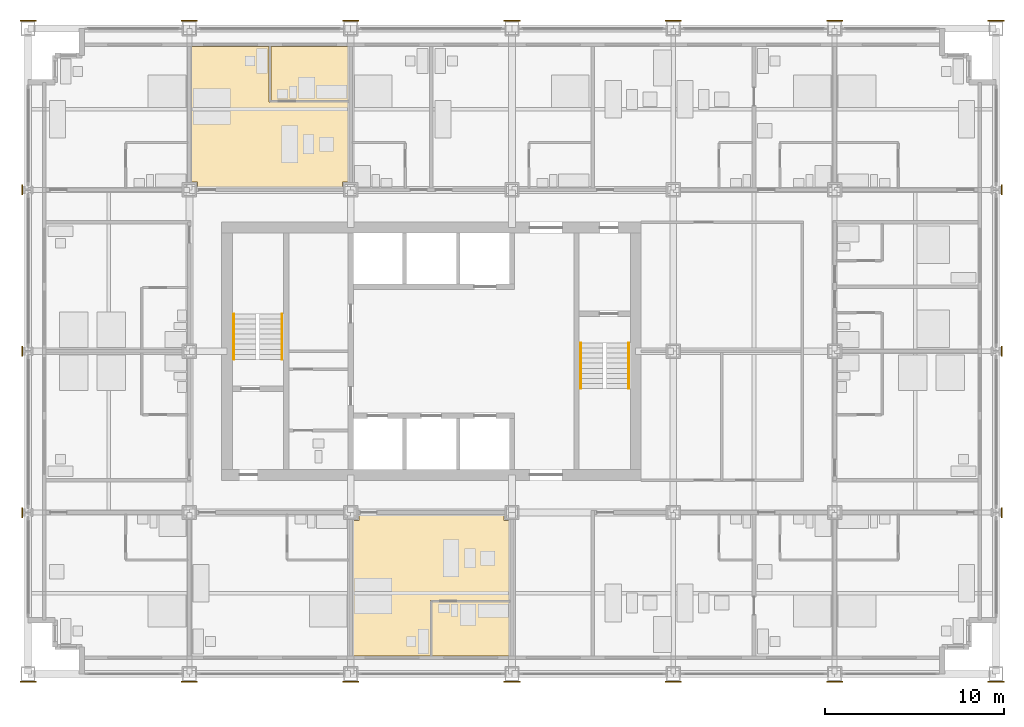
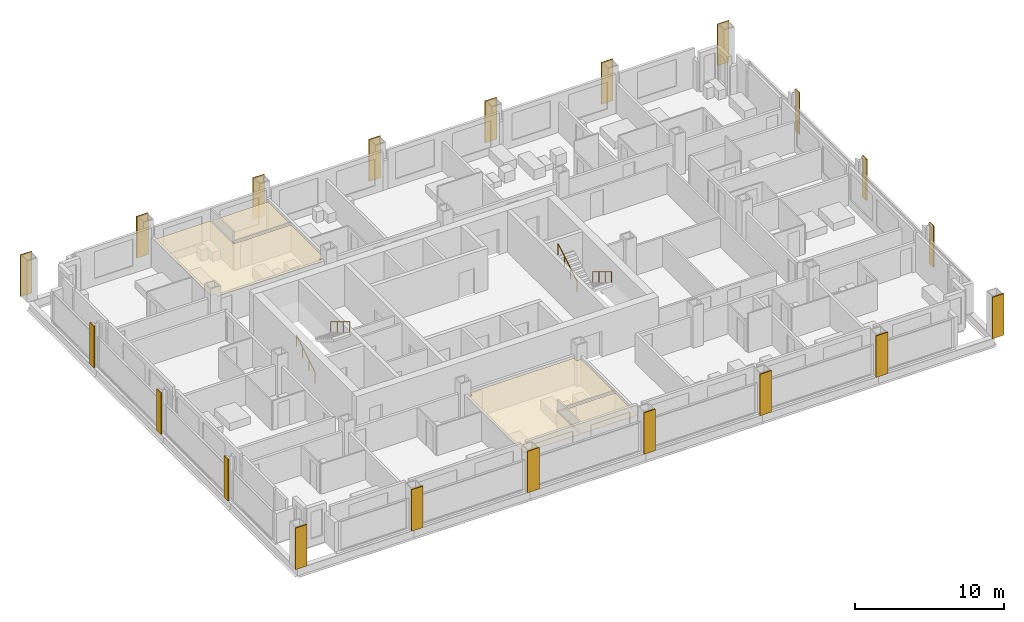
# One storey, part 16 of 18: 24 coverings, 4 railings.
"""IFC4 building model written with IfcOpenShell, lengths in metres."""

import ifcopenshell
import ifcopenshell.guid

model = None  # the IFC model being written
_history = None  # IfcOwnerHistory: only IFC2X3 demands one
_inside = {}  # id of a spatial element -> (the spatial element, [elements in it])
_under = {}  # id of a project, library or spatial element -> (it, [spatial elements below it])
_declared = {}  # id of a project -> (the project, [libraries it declares])
_typed = {}  # id of a type object -> (the type object, [elements of that type])
_made_of = {}  # id of a material, layer set ... -> (it, [elements and type objects made of it])


def new_model(schema):
    """Start an empty IFC model of exactly this schema.

    Asked for "IFC4X3", IfcOpenShell would pick the latest addendum, in which some entities
    have other attributes; the version numbers below select the first issue.
    IFC2X3 requires an IfcOwnerHistory on every rooted entity: one is made here for all.
    """
    global model, _history
    if schema == "IFC4X3":
        model = ifcopenshell.file(schema_version=(4, 3, 0, 0))
    else:
        model = ifcopenshell.file(schema=schema)
    _inside.clear()
    _under.clear()
    _declared.clear()
    _typed.clear()
    _made_of.clear()
    _history = None
    if model.schema == "IFC2X3":
        org = make("IfcOrganization", Name="unknown")
        user = make(
            "IfcPersonAndOrganization",
            ThePerson=make("IfcPerson", FamilyName="unknown"),
            TheOrganization=org,
        )
        app = make(
            "IfcApplication",
            ApplicationDeveloper=org,
            Version="unknown",
            ApplicationFullName="unknown",
            ApplicationIdentifier="unknown",
        )
        _history = make(
            "IfcOwnerHistory",
            OwningUser=user,
            OwningApplication=app,
            ChangeAction="ADDED",
            CreationDate=0,
        )
    return model


def make(cls, **values):
    """One entity of the class cls with the attributes given. An attribute that is None is left unset."""
    return model.create_entity(
        cls, **{name: value for name, value in values.items() if value is not None}
    )


def rooted(cls, **values):
    """An entity with a GlobalId (a new one), such as an element, a storey or a relation."""
    return make(cls, GlobalId=ifcopenshell.guid.new(), OwnerHistory=_history, **values)


def si_unit(unit_type, name, prefix=None):
    """IfcSIUnit, for example si_unit("LENGTHUNIT", "METRE", prefix="MILLI")."""
    return make("IfcSIUnit", UnitType=unit_type, Prefix=prefix, Name=name)


def assignment(units):
    """IfcUnitAssignment: the units of a project."""
    return None if units is None else make("IfcUnitAssignment", Units=units)


def point(xyz):
    """IfcCartesianPoint."""
    return None if xyz is None else make("IfcCartesianPoint", Coordinates=xyz)


def direction(xyz):
    """IfcDirection."""
    return None if xyz is None else make("IfcDirection", DirectionRatios=xyz)


def frame(location, z_axis=None, x_axis=None):
    """IfcAxis2Placement3D, a coordinate frame: its origin and axes. An axis left out is left unset."""
    return make(
        "IfcAxis2Placement3D",
        Location=point(location),
        Axis=direction(z_axis),
        RefDirection=direction(x_axis),
    )


def frame_2d(location, x_axis=None):
    """IfcAxis2Placement2D, a coordinate frame in the plane: its origin and x axis."""
    return make(
        "IfcAxis2Placement2D", Location=point(location), RefDirection=direction(x_axis)
    )


def origin():
    """The frame at (0, 0, 0) with its axes left unset."""
    return frame((0.0, 0.0, 0.0))


def origin_2d():
    """The frame at (0, 0) in the plane with its x axis left unset."""
    return frame_2d((0.0, 0.0))


def place(relative_to, where):
    """IfcLocalPlacement: puts the frame where relative to a parent placement (None: the world)."""
    return make(
        "IfcLocalPlacement", PlacementRelTo=relative_to, RelativePlacement=where
    )


def context(
    kind, dimensions, precision=None, world=None, true_north=None, identifier=None
):
    """IfcGeometricRepresentationContext, for example the 3D "Model" context."""
    return make(
        "IfcGeometricRepresentationContext",
        ContextIdentifier=identifier,
        ContextType=kind,
        CoordinateSpaceDimension=dimensions,
        Precision=precision,
        WorldCoordinateSystem=world,
        TrueNorth=true_north,
    )


def subcontext(parent, identifier, kind, view, scale=None):
    """IfcGeometricRepresentationSubContext, for example "Body" below "Model"."""
    return make(
        "IfcGeometricRepresentationSubContext",
        ContextIdentifier=identifier,
        ContextType=kind,
        ParentContext=parent,
        TargetScale=scale,
        TargetView=view,
    )


def project(units=None, contexts=None):
    """IfcProject with its units and contexts."""
    return rooted(
        "IfcProject",
        Name="project",
        RepresentationContexts=contexts,
        UnitsInContext=assignment(units),
    )


def spatial(cls, under=None, at=None, **own):
    """A site, building, storey or space (cls), placed at a placement, below another one or the project."""
    s = rooted(cls, ObjectPlacement=at, **own)
    if under is not None:
        _under.setdefault(under.id(), (under, []))[1].append(s)
    return s


def polyline(points):
    """IfcPolyline through the points."""
    return make("IfcPolyline", Points=[point(p) for p in points])


def profile(cls, at=None, kind="AREA", **sizes):
    """A parametric profile (cls). Its sizes go by their IFC names, for example OverallWidth=200.0."""
    return make(cls, ProfileType=kind, Position=at, **sizes)


def rectangle(**sizes):
    """IfcRectangleProfileDef."""
    return profile("IfcRectangleProfileDef", **sizes)


def circle(**sizes):
    """IfcCircleProfileDef."""
    return profile("IfcCircleProfileDef", **sizes)


def outline(outer, holes=None, kind="AREA"):
    """IfcArbitraryClosedProfileDef: a profile drawn as a closed curve; with holes, ...WithVoids."""
    if holes is None:
        return make("IfcArbitraryClosedProfileDef", ProfileType=kind, OuterCurve=outer)
    return make(
        "IfcArbitraryProfileDefWithVoids",
        ProfileType=kind,
        OuterCurve=outer,
        InnerCurves=holes,
    )


def extrude(swept, where, along, depth):
    """IfcExtrudedAreaSolid: the profile swept, set in the frame where, extruded along a direction by depth."""
    return make(
        "IfcExtrudedAreaSolid",
        SweptArea=swept,
        Position=where,
        ExtrudedDirection=direction(along),
        Depth=depth,
    )


def shape(context_of_items, identifier, shape_type, items):
    """IfcShapeRepresentation: the items that make up one representation, for example the "Body"."""
    return make(
        "IfcShapeRepresentation",
        ContextOfItems=context_of_items,
        RepresentationIdentifier=identifier,
        RepresentationType=shape_type,
        Items=items,
    )


def material(Name=None, Category=None):
    """IfcMaterial."""
    return make("IfcMaterial", Name=Name, Category=Category)


def layer(
    of_material, thickness, ventilated=None, Name=None, Category=None, Priority=None
):
    """IfcMaterialLayer: one layer of a wall or slab, of a material (None: an air gap)."""
    return make(
        "IfcMaterialLayer",
        Material=of_material,
        LayerThickness=thickness,
        IsVentilated=ventilated,
        Name=Name,
        Category=Category,
        Priority=Priority,
    )


def layer_set(layers, Name=None):
    """IfcMaterialLayerSet."""
    return make("IfcMaterialLayerSet", MaterialLayers=layers, LayerSetName=Name)


def made_of(thing, what):
    """Note that an element or type object is made of a material, layer set ...; save() writes the relation."""
    if what is not None:
        _made_of.setdefault(what.id(), (what, []))[1].append(thing)
    return thing


def type_object(cls, material=None, **own):
    """A type object (cls), such as IfcWallType, which elements share."""
    return made_of(rooted(cls, **own), material)


def element(
    cls,
    number,
    at=None,
    inside=None,
    cuts=None,
    type_object=None,
    material=None,
    context=None,
    identifier="Body",
    shape_type=None,
    held_by="IfcProductDefinitionShape",
    body=None,
    shapes=None,
    **own,
):
    """One element of the class cls, such as IfcWall. Its Tag is "e" and its number.

    at: its placement. inside: the storey or other place that contains it. cuts: it is an
    opening in that element (IfcRelVoidsElement). A single representation is given by context,
    identifier, shape_type and body (its items); several are given by shapes. held_by: the class
    of the entity that holds the representations. save() writes the other relations.
    """
    e = rooted(cls, Tag="e%d" % number, ObjectPlacement=at, **own)
    if body is not None:
        shapes = [shape(context, identifier, shape_type, body)]
    if shapes is not None:
        e.Representation = make(held_by, Representations=shapes)
    if inside is not None:
        _inside.setdefault(inside.id(), (inside, []))[1].append(e)
    if cuts is not None:
        rooted(
            "IfcRelVoidsElement", RelatingBuildingElement=cuts, RelatedOpeningElement=e
        )
    if type_object is not None:
        _typed.setdefault(type_object.id(), (type_object, []))[1].append(e)
    return made_of(e, material)


def aggregate(whole, parts):
    """IfcRelAggregates: a whole, such as a stair, and the parts it consists of."""
    return rooted("IfcRelAggregates", RelatingObject=whole, RelatedObjects=parts)


def save(model, path):
    """Write the relations noted so far, then the file.

    IfcRelAggregates (storeys below a building ...), IfcRelContainedInSpatialStructure (elements
    in a storey), IfcRelDefinesByType, IfcRelAssociatesMaterial and IfcRelDeclares: one each for
    every whole, place, type object, material and project.
    """
    for whole, parts in _under.values():
        aggregate(whole, parts)
    for where, things in _inside.values():
        rooted(
            "IfcRelContainedInSpatialStructure",
            RelatedElements=things,
            RelatingStructure=where,
        )
    for kind, things in _typed.values():
        rooted("IfcRelDefinesByType", RelatedObjects=things, RelatingType=kind)
    for what, things in _made_of.values():
        rooted("IfcRelAssociatesMaterial", RelatedObjects=things, RelatingMaterial=what)
    for by, libraries in _declared.values():
        rooted("IfcRelDeclares", RelatingContext=by, RelatedDefinitions=libraries)
    model.write(path)


model = new_model("IFC4")

# Units and contexts
model_context = context("Model", 3, precision=1e-05, world=origin(), true_north=direction((0.0, 1.0)))
body_context = subcontext(model_context, "Body", "Model", "MODEL_VIEW")
ifc_project = project(units=[si_unit("LENGTHUNIT", "METRE"), si_unit("AREAUNIT", "SQUARE_METRE"), si_unit("VOLUMEUNIT", "CUBIC_METRE"), si_unit("PLANEANGLEUNIT", "RADIAN"), si_unit("MASSUNIT", "GRAM", prefix="KILO")], contexts=[model_context])

# Site, building, storey
site_placement = place(None, origin())
site = spatial("IfcSite", under=ifc_project, at=site_placement, CompositionType="ELEMENT")
building_placement = place(site_placement, origin())
building = spatial("IfcBuilding", under=site, at=building_placement, Name="Loomwork Tower", CompositionType="ELEMENT")
storey_placement = place(building_placement, frame((0.0, 0.0, 79.0)))
storey = spatial("IfcBuildingStorey", under=building, at=storey_placement, Name="L20", CompositionType="ELEMENT", Elevation=79.0)

# Railings
ifc_material_1 = material(Name="Stainless steel handrail", Category="steel")
railing_type = type_object("IfcRailingType", Name="Handrail 900", PredefinedType="HANDRAIL", material=ifc_material_1)
railing_1_placement = place(storey_placement, frame((11.485107421875, 17.550048828125, 0.169921875)))
element("IfcRailing", 1, at=railing_1_placement, inside=storey, type_object=railing_type, Name="Stair A handrail flight 1 L20", PredefinedType="HANDRAIL", context=body_context, shape_type="SweptSolid", body=[
    extrude(circle(Radius=0.02392578125, at=origin_2d()), frame((0.0, 0.0, 0.8759765625), z_axis=(0.0, 0.85478489116, 0.518982456201), x_axis=(-1.0, 0.0, 0.0)), (0.0, 0.0, 1.0), 2.9482421875),
    extrude(circle(Radius=0.02099609375, at=origin_2d()), origin(), (0.0, 0.0, 1.0), 0.851806640625),
    extrude(circle(Radius=0.02099609375, at=origin_2d()), frame((0.0, 0.840087890625, 0.510009765625)), (0.0, 0.0, 1.0), 0.851806640625),
    extrude(circle(Radius=0.02099609375, at=origin_2d()), frame((0.0, 1.679931640625, 1.02001953125)), (0.0, 0.0, 1.0), 0.851806640625),
    extrude(circle(Radius=0.02099609375, at=origin_2d()), frame((0.0, 2.52001953125, 1.530029296875)), (0.0, 0.0, 1.0), 0.851806640625),
])
railing_2_placement = place(storey_placement, frame((14.1650390625, 20.070068359375, 1.8701171875)))
element("IfcRailing", 2, at=railing_2_placement, inside=storey, type_object=railing_type, Name="Stair A handrail flight 2 L20", PredefinedType="HANDRAIL", context=body_context, shape_type="SweptSolid", body=[
    extrude(circle(Radius=0.02392578125, at=origin_2d()), frame((0.0, 0.0, 0.8759765625), z_axis=(0.0, -0.854821627497, 0.518921945155), x_axis=(1.0, 0.0, 0.0)), (0.0, 0.0, 1.0), 2.947998046875),
    extrude(circle(Radius=0.02099609375, at=origin_2d()), origin(), (0.0, 0.0, 1.0), 0.851806640625),
    extrude(circle(Radius=0.02099609375, at=origin_2d()), frame((0.0, -0.840087890625, 0.510009765625)), (0.0, 0.0, 1.0), 0.851806640625),
    extrude(circle(Radius=0.02099609375, at=origin_2d()), frame((0.0, -1.679931640625, 1.019775390625)), (0.0, 0.0, 1.0), 0.851806640625),
    extrude(circle(Radius=0.02099609375, at=origin_2d()), frame((0.0, -2.52001953125, 1.52978515625)), (0.0, 0.0, 1.0), 0.851806640625),
])
railing_3_placement = place(storey_placement, frame((33.514892578125, 18.449951171875, 0.169921875)))
element("IfcRailing", 3, at=railing_3_placement, inside=storey, type_object=railing_type, Name="Stair B handrail flight 1 L20", PredefinedType="HANDRAIL", context=body_context, shape_type="SweptSolid", body=[
    extrude(circle(Radius=0.02392578125, at=origin_2d()), frame((0.0, 0.0, 0.8759765625), z_axis=(0.0, -0.85478489116, 0.518982456201), x_axis=(1.0, 0.0, 0.0)), (0.0, 0.0, 1.0), 2.9482421875),
    extrude(circle(Radius=0.02099609375, at=origin_2d()), origin(), (0.0, 0.0, 1.0), 0.851806640625),
    extrude(circle(Radius=0.02099609375, at=origin_2d()), frame((0.0, -0.840087890625, 0.510009765625)), (0.0, 0.0, 1.0), 0.851806640625),
    extrude(circle(Radius=0.02099609375, at=origin_2d()), frame((0.0, -1.679931640625, 1.02001953125)), (0.0, 0.0, 1.0), 0.851806640625),
    extrude(circle(Radius=0.02099609375, at=origin_2d()), frame((0.0, -2.52001953125, 1.530029296875)), (0.0, 0.0, 1.0), 0.851806640625),
])
railing_4_placement = place(storey_placement, frame((30.8349609375, 15.929931640625, 1.8701171875)))
element("IfcRailing", 4, at=railing_4_placement, inside=storey, type_object=railing_type, Name="Stair B handrail flight 2 L20", PredefinedType="HANDRAIL", context=body_context, shape_type="SweptSolid", body=[
    extrude(circle(Radius=0.02392578125, at=origin_2d()), frame((0.0, 0.0, 0.8759765625), z_axis=(0.0, 0.854821627497, 0.518921945155), x_axis=(-1.0, 0.0, 0.0)), (0.0, 0.0, 1.0), 2.947998046875),
    extrude(circle(Radius=0.02099609375, at=origin_2d()), origin(), (0.0, 0.0, 1.0), 0.851806640625),
    extrude(circle(Radius=0.02099609375, at=origin_2d()), frame((0.0, 0.840087890625, 0.510009765625)), (0.0, 0.0, 1.0), 0.851806640625),
    extrude(circle(Radius=0.02099609375, at=origin_2d()), frame((0.0, 1.679931640625, 1.019775390625)), (0.0, 0.0, 1.0), 0.851806640625),
    extrude(circle(Radius=0.02099609375, at=origin_2d()), frame((0.0, 2.52001953125, 1.52978515625)), (0.0, 0.0, 1.0), 0.851806640625),
])

# Coverings
ifc_material_2 = material(Name="Limestone", Category="masonry")
ifc_layer_1 = layer(ifc_material_2, 0.080078125)
ifc_layer_set_1 = layer_set([ifc_layer_1], Name="Limestone pier facing 80")
covering_type_1 = type_object("IfcCoveringType", Name="Limestone pier facing 80", PredefinedType="CLADDING", material=ifc_layer_set_1)
covering_1_placement = place(storey_placement, frame((0.0, -0.43994140625, 0.0), z_axis=(0.0, 0.0, 1.0), x_axis=(1.0, 0.0, 0.0)))
element("IfcCovering", 5, at=covering_1_placement, inside=storey, type_object=covering_type_1, Name="Pier facing D/2 L20", PredefinedType="CLADDING", context=body_context, shape_type="SweptSolid", body=[
    extrude(rectangle(XDim=0.89990234375, YDim=0.080078125, at=origin_2d()), origin(), (0.0, 0.0, 1.0), 3.39990234375),
])
for number, where, z_axis, x_axis, name in (
    (6, (-0.324462890625, 9.0, 0.0), (0.0, 0.0, 1.0), (1.0, 0.0, 0.0), "Pier facing E/2 L20"),
    (7, (-0.324462890625, 18.0, 0.0), (0.0, 0.0, 1.0), (1.0, 0.0, 0.0), "Pier facing F/2 L20"),
    (8, (-0.324462890625, 27.0, 0.0), (0.0, 0.0, 1.0), (1.0, 0.0, 0.0), "Pier facing G/2 L20"),
):
    element("IfcCovering", number, at=place(storey_placement, frame(where, z_axis=z_axis, x_axis=x_axis)), inside=storey, type_object=covering_type_1, Name=name, PredefinedType="CLADDING", context=body_context, shape_type="SweptSolid", body=[
        extrude(rectangle(XDim=0.080078125, YDim=0.5546875, at=origin_2d()), origin(), (0.0, 0.0, 1.0), 3.39990234375),
    ])
for number, where, z_axis, x_axis, name in (
    (9, (0.0, 36.43994140625, 0.0), (0.0, 0.0, 1.0), (1.0, 0.0, 0.0), "Pier facing H/2 L20"),
    (10, (9.0, -0.43994140625, 0.0), (0.0, 0.0, 1.0), (1.0, 0.0, 0.0), "Pier facing D/3 L20"),
    (11, (9.0, 36.43994140625, 0.0), (0.0, 0.0, 1.0), (1.0, 0.0, 0.0), "Pier facing H/3 L20"),
    (12, (18.0, -0.43994140625, 0.0), (0.0, 0.0, 1.0), (1.0, 0.0, 0.0), "Pier facing D/4 L20"),
    (13, (18.0, 36.43994140625, 0.0), (0.0, 0.0, 1.0), (1.0, 0.0, 0.0), "Pier facing H/4 L20"),
    (14, (27.0, -0.43994140625, 0.0), (0.0, 0.0, 1.0), (1.0, 0.0, 0.0), "Pier facing D/5 L20"),
    (15, (27.0, 36.43994140625, 0.0), (0.0, 0.0, 1.0), (1.0, 0.0, 0.0), "Pier facing H/5 L20"),
    (16, (36.0, -0.43994140625, 0.0), (0.0, 0.0, 1.0), (1.0, 0.0, 0.0), "Pier facing D/6 L20"),
    (17, (36.0, 36.43994140625, 0.0), (0.0, 0.0, 1.0), (1.0, 0.0, 0.0), "Pier facing H/6 L20"),
    (18, (45.0, -0.43994140625, 0.0), (0.0, 0.0, 1.0), (1.0, 0.0, 0.0), "Pier facing D/7 L20"),
    (19, (45.0, 36.43994140625, 0.0), (0.0, 0.0, 1.0), (1.0, 0.0, 0.0), "Pier facing H/7 L20"),
    (20, (54.0, -0.43994140625, 0.0), (0.0, 0.0, 1.0), (1.0, 0.0, 0.0), "Pier facing D/8 L20"),
):
    element("IfcCovering", number, at=place(storey_placement, frame(where, z_axis=z_axis, x_axis=x_axis)), inside=storey, type_object=covering_type_1, Name=name, PredefinedType="CLADDING", context=body_context, shape_type="SweptSolid", body=[
        extrude(rectangle(XDim=0.89990234375, YDim=0.080078125, at=origin_2d()), origin(), (0.0, 0.0, 1.0), 3.39990234375),
    ])
for number, where, z_axis, x_axis, name in (
    (21, (54.324462890625, 9.0, 0.0), (0.0, 0.0, 1.0), (1.0, 0.0, 0.0), "Pier facing E/8 L20"),
    (22, (54.324462890625, 18.0, 0.0), (0.0, 0.0, 1.0), (1.0, 0.0, 0.0), "Pier facing F/8 L20"),
    (23, (54.324462890625, 27.0, 0.0), (0.0, 0.0, 1.0), (1.0, 0.0, 0.0), "Pier facing G/8 L20"),
):
    element("IfcCovering", number, at=place(storey_placement, frame(where, z_axis=z_axis, x_axis=x_axis)), inside=storey, type_object=covering_type_1, Name=name, PredefinedType="CLADDING", context=body_context, shape_type="SweptSolid", body=[
        extrude(rectangle(XDim=0.080078125, YDim=0.5546875, at=origin_2d()), origin(), (0.0, 0.0, 1.0), 3.39990234375),
    ])
covering_2_placement = place(storey_placement, frame((54.0, 36.43994140625, 0.0), z_axis=(0.0, 0.0, 1.0), x_axis=(1.0, 0.0, 0.0)))
element("IfcCovering", 24, at=covering_2_placement, inside=storey, type_object=covering_type_1, Name="Pier facing H/8 L20", PredefinedType="CLADDING", context=body_context, shape_type="SweptSolid", body=[
    extrude(rectangle(XDim=0.89990234375, YDim=0.080078125, at=origin_2d()), origin(), (0.0, 0.0, 1.0), 3.39990234375),
])
ifc_material_3 = material(Name="Mineral fibre acoustic tile on suspension grid")
ifc_layer_2 = layer(ifc_material_3, 0.02490234375)
ifc_layer_set_2 = layer_set([ifc_layer_2], Name="Suspended acoustic ceiling")
covering_type_2 = type_object("IfcCoveringType", Name="Suspended acoustic ceiling", PredefinedType="CEILING", material=ifc_layer_set_2)
covering_3_placement = place(storey_placement, frame((0.0, 0.0, 2.175048828125)))
element("IfcCovering", 25, at=covering_3_placement, inside=storey, type_object=covering_type_2, Name="Ceiling Spa bathroom L20", PredefinedType="CEILING", context=body_context, shape_type="SweptSolid", body=[
    extrude(outline(polyline([(26.89990234375, 4.0), (26.89990234375, 1.0), (22.550048828125, 1.0), (22.550048828125, 4.0), (26.89990234375, 4.0)])), origin(), (0.0, 0.0, 1.0), 0.02490234375),
])
covering_4_placement = place(storey_placement, frame((0.0, 0.0, 2.175048828125)))
element("IfcCovering", 26, at=covering_4_placement, inside=storey, type_object=covering_type_2, Name="Ceiling Spa suite L20", PredefinedType="CEILING", context=body_context, shape_type="SweptSolid", body=[
    extrude(outline(polyline([(26.550048828125, 8.89990234375), (26.550048828125, 8.550048828125), (26.89990234375, 8.550048828125), (26.89990234375, 4.10009765625), (22.449951171875, 4.10009765625), (22.449951171875, 1.0), (18.10009765625, 1.0), (18.10009765625, 8.550048828125), (18.449951171875, 8.550048828125), (18.449951171875, 8.89990234375), (26.550048828125, 8.89990234375)])), origin(), (0.0, 0.0, 1.0), 0.02490234375),
])
covering_5_placement = place(storey_placement, frame((0.0, 0.0, 2.175048828125)))
element("IfcCovering", 27, at=covering_5_placement, inside=storey, type_object=covering_type_2, Name="Ceiling Spa bathroom L20", PredefinedType="CEILING", context=body_context, shape_type="SweptSolid", body=[
    extrude(outline(polyline([(13.550048828125, 35.0), (17.89990234375, 35.0), (17.89990234375, 32.0), (13.550048828125, 32.0), (13.550048828125, 35.0)])), origin(), (0.0, 0.0, 1.0), 0.02490234375),
])
covering_6_placement = place(storey_placement, frame((0.0, 0.0, 2.175048828125)))
element("IfcCovering", 28, at=covering_6_placement, inside=storey, type_object=covering_type_2, Name="Ceiling Spa suite L20", PredefinedType="CEILING", context=body_context, shape_type="SweptSolid", body=[
    extrude(outline(polyline([(9.10009765625, 35.0), (13.449951171875, 35.0), (13.449951171875, 31.89990234375), (17.89990234375, 31.89990234375), (17.89990234375, 27.449951171875), (17.550048828125, 27.449951171875), (17.550048828125, 27.10009765625), (9.449951171875, 27.10009765625), (9.449951171875, 27.449951171875), (9.10009765625, 27.449951171875), (9.10009765625, 35.0)])), origin(), (0.0, 0.0, 1.0), 0.02490234375),
])

save(model, "model.ifc")
